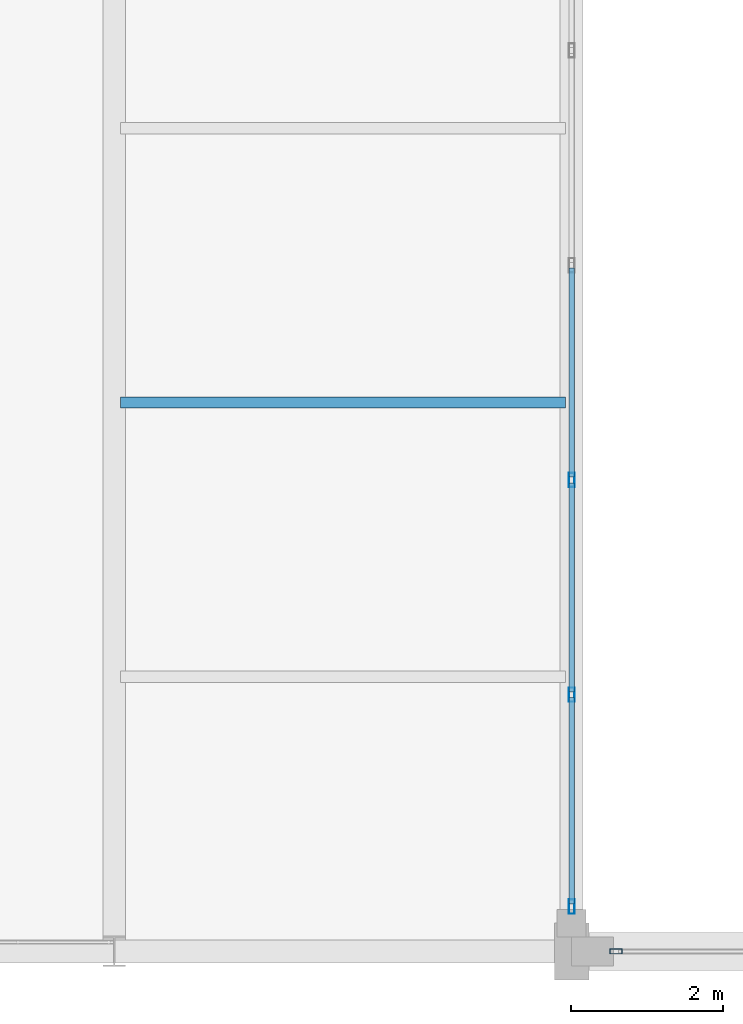
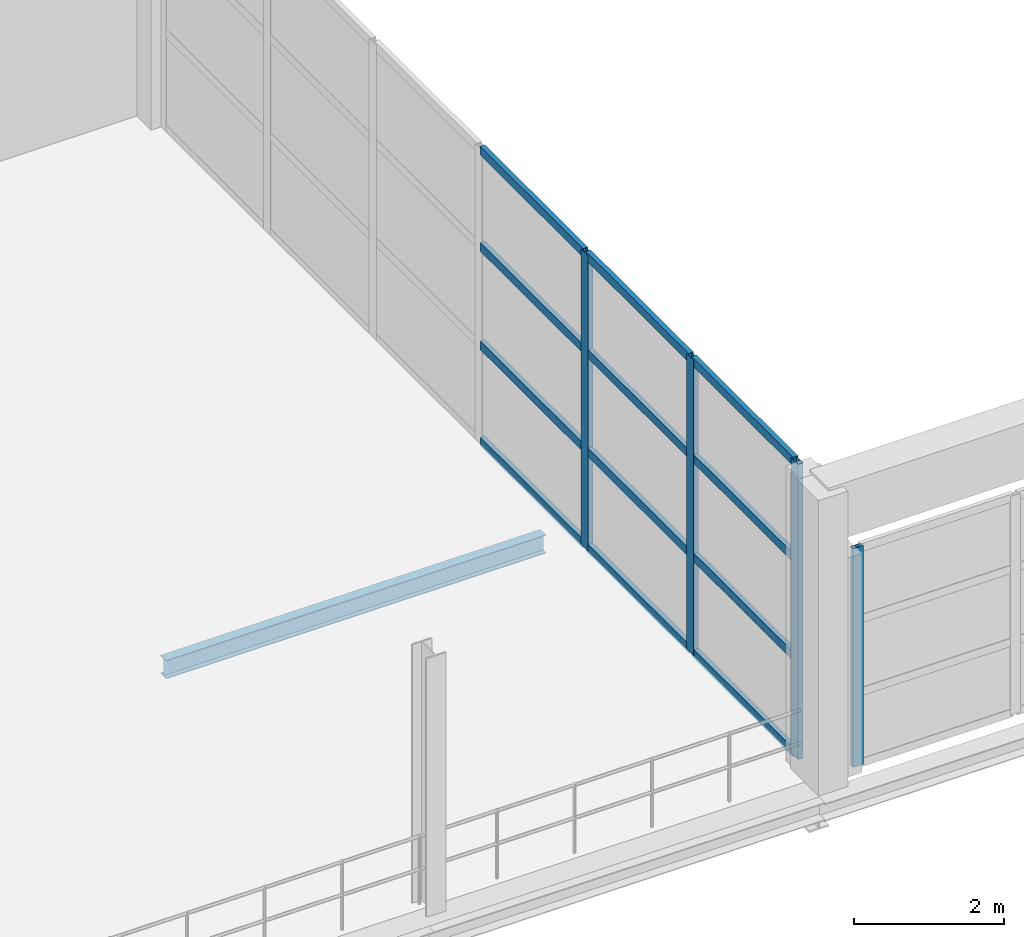
# One storey, part 38 of 147: 16 members, 1 beam, 2 elements without a shape of their own.
"""IFC4 building model written with IfcOpenShell, lengths in metres."""

import ifcopenshell
import ifcopenshell.guid

model = None  # the IFC model being written
_history = None  # IfcOwnerHistory: only IFC2X3 demands one
_inside = {}  # id of a spatial element -> (the spatial element, [elements in it])
_under = {}  # id of a project, library or spatial element -> (it, [spatial elements below it])
_declared = {}  # id of a project -> (the project, [libraries it declares])
_typed = {}  # id of a type object -> (the type object, [elements of that type])
_made_of = {}  # id of a material, layer set ... -> (it, [elements and type objects made of it])


def new_model(schema):
    """Start an empty IFC model of exactly this schema.

    Asked for "IFC4X3", IfcOpenShell would pick the latest addendum, in which some entities
    have other attributes; the version numbers below select the first issue.
    IFC2X3 requires an IfcOwnerHistory on every rooted entity: one is made here for all.
    """
    global model, _history
    if schema == "IFC4X3":
        model = ifcopenshell.file(schema_version=(4, 3, 0, 0))
    else:
        model = ifcopenshell.file(schema=schema)
    _inside.clear()
    _under.clear()
    _declared.clear()
    _typed.clear()
    _made_of.clear()
    _history = None
    if model.schema == "IFC2X3":
        org = make("IfcOrganization", Name="unknown")
        user = make(
            "IfcPersonAndOrganization",
            ThePerson=make("IfcPerson", FamilyName="unknown"),
            TheOrganization=org,
        )
        app = make(
            "IfcApplication",
            ApplicationDeveloper=org,
            Version="unknown",
            ApplicationFullName="unknown",
            ApplicationIdentifier="unknown",
        )
        _history = make(
            "IfcOwnerHistory",
            OwningUser=user,
            OwningApplication=app,
            ChangeAction="ADDED",
            CreationDate=0,
        )
    return model


def make(cls, **values):
    """One entity of the class cls with the attributes given. An attribute that is None is left unset."""
    return model.create_entity(
        cls, **{name: value for name, value in values.items() if value is not None}
    )


def rooted(cls, **values):
    """An entity with a GlobalId (a new one), such as an element, a storey or a relation."""
    return make(cls, GlobalId=ifcopenshell.guid.new(), OwnerHistory=_history, **values)


def si_unit(unit_type, name, prefix=None):
    """IfcSIUnit, for example si_unit("LENGTHUNIT", "METRE", prefix="MILLI")."""
    return make("IfcSIUnit", UnitType=unit_type, Prefix=prefix, Name=name)


def assignment(units):
    """IfcUnitAssignment: the units of a project."""
    return None if units is None else make("IfcUnitAssignment", Units=units)


def point(xyz):
    """IfcCartesianPoint."""
    return None if xyz is None else make("IfcCartesianPoint", Coordinates=xyz)


def direction(xyz):
    """IfcDirection."""
    return None if xyz is None else make("IfcDirection", DirectionRatios=xyz)


def frame(location, z_axis=None, x_axis=None):
    """IfcAxis2Placement3D, a coordinate frame: its origin and axes. An axis left out is left unset."""
    return make(
        "IfcAxis2Placement3D",
        Location=point(location),
        Axis=direction(z_axis),
        RefDirection=direction(x_axis),
    )


def frame_2d(location, x_axis=None):
    """IfcAxis2Placement2D, a coordinate frame in the plane: its origin and x axis."""
    return make(
        "IfcAxis2Placement2D", Location=point(location), RefDirection=direction(x_axis)
    )


def origin():
    """The frame at (0, 0, 0) with its axes left unset."""
    return frame((0.0, 0.0, 0.0))


def origin_2d():
    """The frame at (0, 0) in the plane with its x axis left unset."""
    return frame_2d((0.0, 0.0))


def place(relative_to, where):
    """IfcLocalPlacement: puts the frame where relative to a parent placement (None: the world)."""
    return make(
        "IfcLocalPlacement", PlacementRelTo=relative_to, RelativePlacement=where
    )


def context(
    kind, dimensions, precision=None, world=None, true_north=None, identifier=None
):
    """IfcGeometricRepresentationContext, for example the 3D "Model" context."""
    return make(
        "IfcGeometricRepresentationContext",
        ContextIdentifier=identifier,
        ContextType=kind,
        CoordinateSpaceDimension=dimensions,
        Precision=precision,
        WorldCoordinateSystem=world,
        TrueNorth=true_north,
    )


def subcontext(parent, identifier, kind, view, scale=None):
    """IfcGeometricRepresentationSubContext, for example "Body" below "Model"."""
    return make(
        "IfcGeometricRepresentationSubContext",
        ContextIdentifier=identifier,
        ContextType=kind,
        ParentContext=parent,
        TargetScale=scale,
        TargetView=view,
    )


def project(units=None, contexts=None):
    """IfcProject with its units and contexts."""
    return rooted(
        "IfcProject",
        Name="project",
        RepresentationContexts=contexts,
        UnitsInContext=assignment(units),
    )


def spatial(cls, under=None, at=None, **own):
    """A site, building, storey or space (cls), placed at a placement, below another one or the project."""
    s = rooted(cls, ObjectPlacement=at, **own)
    if under is not None:
        _under.setdefault(under.id(), (under, []))[1].append(s)
    return s


def profile(cls, at=None, kind="AREA", **sizes):
    """A parametric profile (cls). Its sizes go by their IFC names, for example OverallWidth=200.0."""
    return make(cls, ProfileType=kind, Position=at, **sizes)


def hollow_rectangle(**sizes):
    """IfcRectangleHollowProfileDef."""
    return profile("IfcRectangleHollowProfileDef", **sizes)


def i_section(**sizes):
    """IfcIShapeProfileDef."""
    return profile("IfcIShapeProfileDef", **sizes)


def extrude(swept, where, along, depth):
    """IfcExtrudedAreaSolid: the profile swept, set in the frame where, extruded along a direction by depth."""
    return make(
        "IfcExtrudedAreaSolid",
        SweptArea=swept,
        Position=where,
        ExtrudedDirection=direction(along),
        Depth=depth,
    )


def shape(context_of_items, identifier, shape_type, items):
    """IfcShapeRepresentation: the items that make up one representation, for example the "Body"."""
    return make(
        "IfcShapeRepresentation",
        ContextOfItems=context_of_items,
        RepresentationIdentifier=identifier,
        RepresentationType=shape_type,
        Items=items,
    )


def material(Name=None, Category=None):
    """IfcMaterial."""
    return make("IfcMaterial", Name=Name, Category=Category)


def layer(
    of_material, thickness, ventilated=None, Name=None, Category=None, Priority=None
):
    """IfcMaterialLayer: one layer of a wall or slab, of a material (None: an air gap)."""
    return make(
        "IfcMaterialLayer",
        Material=of_material,
        LayerThickness=thickness,
        IsVentilated=ventilated,
        Name=Name,
        Category=Category,
        Priority=Priority,
    )


def layer_set(layers, Name=None):
    """IfcMaterialLayerSet."""
    return make("IfcMaterialLayerSet", MaterialLayers=layers, LayerSetName=Name)


def material_profile(
    of_material, cross_section, Name=None, Category=None, Priority=None
):
    """IfcMaterialProfile: a cross section and its material."""
    return make(
        "IfcMaterialProfile",
        Name=Name,
        Material=of_material,
        Profile=cross_section,
        Priority=Priority,
        Category=Category,
    )


def profile_set(profiles, Name=None, composite=None):
    """IfcMaterialProfileSet."""
    return make(
        "IfcMaterialProfileSet",
        Name=Name,
        MaterialProfiles=profiles,
        CompositeProfile=composite,
    )


def made_of(thing, what):
    """Note that an element or type object is made of a material, layer set ...; save() writes the relation."""
    if what is not None:
        _made_of.setdefault(what.id(), (what, []))[1].append(thing)
    return thing


def type_object(cls, material=None, **own):
    """A type object (cls), such as IfcWallType, which elements share."""
    return made_of(rooted(cls, **own), material)


def element(
    cls,
    number,
    at=None,
    inside=None,
    cuts=None,
    type_object=None,
    material=None,
    context=None,
    identifier="Body",
    shape_type=None,
    held_by="IfcProductDefinitionShape",
    body=None,
    shapes=None,
    **own,
):
    """One element of the class cls, such as IfcWall. Its Tag is "e" and its number.

    at: its placement. inside: the storey or other place that contains it. cuts: it is an
    opening in that element (IfcRelVoidsElement). A single representation is given by context,
    identifier, shape_type and body (its items); several are given by shapes. held_by: the class
    of the entity that holds the representations. save() writes the other relations.
    """
    e = rooted(cls, Tag="e%d" % number, ObjectPlacement=at, **own)
    if body is not None:
        shapes = [shape(context, identifier, shape_type, body)]
    if shapes is not None:
        e.Representation = make(held_by, Representations=shapes)
    if inside is not None:
        _inside.setdefault(inside.id(), (inside, []))[1].append(e)
    if cuts is not None:
        rooted(
            "IfcRelVoidsElement", RelatingBuildingElement=cuts, RelatedOpeningElement=e
        )
    if type_object is not None:
        _typed.setdefault(type_object.id(), (type_object, []))[1].append(e)
    return made_of(e, material)


def aggregate(whole, parts):
    """IfcRelAggregates: a whole, such as a stair, and the parts it consists of."""
    return rooted("IfcRelAggregates", RelatingObject=whole, RelatedObjects=parts)


def save(model, path):
    """Write the relations noted so far, then the file.

    IfcRelAggregates (storeys below a building ...), IfcRelContainedInSpatialStructure (elements
    in a storey), IfcRelDefinesByType, IfcRelAssociatesMaterial and IfcRelDeclares: one each for
    every whole, place, type object, material and project.
    """
    for whole, parts in _under.values():
        aggregate(whole, parts)
    for where, things in _inside.values():
        rooted(
            "IfcRelContainedInSpatialStructure",
            RelatedElements=things,
            RelatingStructure=where,
        )
    for kind, things in _typed.values():
        rooted("IfcRelDefinesByType", RelatedObjects=things, RelatingType=kind)
    for what, things in _made_of.values():
        rooted("IfcRelAssociatesMaterial", RelatedObjects=things, RelatingMaterial=what)
    for by, libraries in _declared.values():
        rooted("IfcRelDeclares", RelatingContext=by, RelatedDefinitions=libraries)
    model.write(path)


model = new_model("IFC4")

# Units and contexts
model_context = context("Model", 3, precision=1e-05, world=origin(), true_north=direction((0.0, 1.0)))
body_context = subcontext(model_context, "Body", "Model", "MODEL_VIEW")
ifc_project = project(units=[si_unit("LENGTHUNIT", "METRE"), si_unit("AREAUNIT", "SQUARE_METRE"), si_unit("VOLUMEUNIT", "CUBIC_METRE"), si_unit("PLANEANGLEUNIT", "RADIAN"), si_unit("MASSUNIT", "GRAM", prefix="KILO")], contexts=[model_context])

# Site, building, storey
site_placement = place(None, origin())
site = spatial("IfcSite", under=ifc_project, at=site_placement, CompositionType="ELEMENT")
building_placement = place(site_placement, origin())
building = spatial("IfcBuilding", under=site, at=building_placement, Name="Zilviju Railside Exhibition Hall", CompositionType="ELEMENT")
storey_placement = place(building_placement, frame((0.0, 0.0, 8.39990234375)))
storey = spatial("IfcBuildingStorey", under=building, at=storey_placement, Name="L03", CompositionType="ELEMENT", Elevation=8.39990234375)

# Beam
ifc_material_1 = material(Name="Steel S355J2", Category="steel")
ifc_material_profile_1 = material_profile(ifc_material_1, i_section(OverallWidth=0.14990234375, OverallDepth=0.300048828125, WebThickness=0.007080078125, FlangeThickness=0.0107421875, at=origin_2d()), Name="IPE 300")
ifc_profile_set_1 = profile_set([ifc_material_profile_1], Name="Steel S355J2")
beam_type = type_object("IfcBeamType", Name="BM-IPE300", PredefinedType="JOIST", material=ifc_profile_set_1)
beam_placement = place(storey_placement, frame((72.080078125, 7.199951171875, -0.5), z_axis=(1.0, 0.0, 0.0), x_axis=(0.0, 1.0, 0.0)))
element("IfcBeam", 1, at=beam_placement, inside=storey, type_object=beam_type, Name="Composite Floor Joist L03 Y=7.20 (72.0..78.0)", PredefinedType="JOIST", context=body_context, shape_type="SweptSolid", body=[
    extrude(i_section(OverallWidth=0.14990234375, OverallDepth=0.300048828125, WebThickness=0.007080078125, FlangeThickness=0.0107421875, at=origin_2d()), origin(), (0.0, 0.0, 1.0), 5.83984375),
])

# Curtain wall, member
ifc_material_2 = material(Name="Thermally broken aluminium-steel triple-glazed curtain wall", Category="steel")
ifc_layer_1 = layer(ifc_material_2, 0.179931640625)
ifc_layer_set_1 = layer_set([ifc_layer_1], Name="Thermally broken aluminium-steel triple-glazed curtain wall")
curtain_wall_type_1 = type_object("IfcCurtainWallType", Name="CW-BAY-12", PredefinedType="USERDEFINED", material=ifc_layer_set_1)
curtain_wall_1_placement = place(storey_placement, origin())
curtain_wall_1 = element("IfcCurtainWall", 2, at=curtain_wall_1_placement, inside=storey, type_object=curtain_wall_type_1, Name="South Hall Facade Curtain Wall L03 (78..84)", ObjectType="GLAZED CURTAIN WALL", PredefinedType="USERDEFINED")
ifc_material_3 = material(Name="Thermally broken anodized aluminium mullion", Category="aluminium")
ifc_material_profile_2 = material_profile(ifc_material_3, hollow_rectangle(XDim=0.06494140625, YDim=0.159912109375, WallThickness=0.0048828125, at=origin_2d()), Name="MULLION 160x65x5")
ifc_profile_set_2 = profile_set([ifc_material_profile_2], Name="Thermally broken anodized aluminium mullion")
member_type_1 = type_object("IfcMemberType", Name="CWM-65x160", PredefinedType="MULLION", material=ifc_profile_set_2)
member_1_placement = place(storey_placement, frame((78.58251953125, 0.0, 0.0), z_axis=(0.0, 0.0, 1.0), x_axis=(0.0, -1.0, 0.0)))
member_1 = element("IfcMember", 3, at=member_1_placement, type_object=member_type_1, Name="CW-12 mullion 3", PredefinedType="MULLION", context=body_context, shape_type="SweptSolid", body=[
    extrude(hollow_rectangle(XDim=0.06494140625, YDim=0.159912109375, WallThickness=0.0048828125, at=origin_2d()), origin(), (0.0, 0.0, 1.0), 3.56005859375),
])
aggregate(curtain_wall_1, [member_1])

# Curtain wall, members
ifc_layer_2 = layer(ifc_material_2, 0.179931640625)
ifc_layer_set_2 = layer_set([ifc_layer_2], Name="Thermally broken aluminium-steel triple-glazed curtain wall")
curtain_wall_type_2 = type_object("IfcCurtainWallType", Name="CW-BAY-19", PredefinedType="USERDEFINED", material=ifc_layer_set_2)
curtain_wall_2_placement = place(storey_placement, origin())
curtain_wall_2 = element("IfcCurtainWall", 4, at=curtain_wall_2_placement, inside=storey, type_object=curtain_wall_type_2, Name="South Hall West Upper Glazed Gable (0..18)", ObjectType="GLAZED CURTAIN WALL", PredefinedType="USERDEFINED")
ifc_material_profile_3 = material_profile(ifc_material_3, hollow_rectangle(XDim=0.074951171875, YDim=0.18994140625, WallThickness=0.0048828125, at=origin_2d()), Name="MULLION 190x75x5")
ifc_profile_set_3 = profile_set([ifc_material_profile_3], Name="Thermally broken anodized aluminium mullion")
member_type_2 = type_object("IfcMemberType", Name="CWM-75x190", PredefinedType="MULLION", material=ifc_profile_set_3)
member_2_placement = place(storey_placement, frame((78.0, 0.58740234375, 0.0), z_axis=(0.0, 0.0, 1.0), x_axis=(-1.0, 0.0, 0.0)))
member_2 = element("IfcMember", 5, at=member_2_placement, type_object=member_type_2, Name="CW-19 mullion 1", PredefinedType="MULLION", context=body_context, shape_type="SweptSolid", body=[
    extrude(hollow_rectangle(XDim=0.074951171875, YDim=0.18994140625, WallThickness=0.0048828125, at=origin_2d()), origin(), (0.0, 0.0, 1.0), 4.800048828125),
])
member_3_placement = place(storey_placement, frame((78.0, 3.36669921875, 0.0), z_axis=(0.0, 0.0, 1.0), x_axis=(-1.0, 0.0, 0.0)))
member_3 = element("IfcMember", 6, at=member_3_placement, type_object=member_type_2, Name="CW-19 mullion 2", PredefinedType="MULLION", context=body_context, shape_type="SweptSolid", body=[
    extrude(hollow_rectangle(XDim=0.074951171875, YDim=0.18994140625, WallThickness=0.0048828125, at=origin_2d()), origin(), (0.0, 0.0, 1.0), 4.800048828125),
])
member_4_placement = place(storey_placement, frame((78.0, 6.183349609375, 0.0), z_axis=(0.0, 0.0, 1.0), x_axis=(-1.0, 0.0, 0.0)))
member_4 = element("IfcMember", 7, at=member_4_placement, type_object=member_type_2, Name="CW-19 mullion 3", PredefinedType="MULLION", context=body_context, shape_type="SweptSolid", body=[
    extrude(hollow_rectangle(XDim=0.074951171875, YDim=0.18994140625, WallThickness=0.0048828125, at=origin_2d()), origin(), (0.0, 0.0, 1.0), 4.800048828125),
])
ifc_material_4 = material(Name="Thermally broken anodized aluminium transom", Category="aluminium")
ifc_material_profile_4 = material_profile(ifc_material_4, hollow_rectangle(XDim=0.074951171875, YDim=0.139892578125, WallThickness=0.0048828125, at=origin_2d()), Name="TRANSOM 140x75x5")
ifc_profile_set_4 = profile_set([ifc_material_profile_4], Name="Thermally broken anodized aluminium transom")
member_type_3 = type_object("IfcMemberType", Name="CWT-75x140", PredefinedType="USERDEFINED", material=ifc_profile_set_4)
member_5_placement = place(storey_placement, frame((78.0, 0.625, 0.03759765625), z_axis=(0.0, 1.0, 0.0), x_axis=(-1.0, 0.0, 0.0)))
member_5 = element("IfcMember", 8, at=member_5_placement, type_object=member_type_3, Name="CW-19 transom 1.1", ObjectType="TRANSOM", PredefinedType="USERDEFINED", context=body_context, shape_type="SweptSolid", body=[
    extrude(hollow_rectangle(XDim=0.074951171875, YDim=0.139892578125, WallThickness=0.0048828125, at=origin_2d()), origin(), (0.0, 0.0, 1.0), 2.7041015625),
])
member_6_placement = place(storey_placement, frame((78.0, 0.625, 1.60009765625), z_axis=(0.0, 1.0, 0.0), x_axis=(-1.0, 0.0, 0.0)))
member_6 = element("IfcMember", 9, at=member_6_placement, type_object=member_type_3, Name="CW-19 transom 1.2", ObjectType="TRANSOM", PredefinedType="USERDEFINED", context=body_context, shape_type="SweptSolid", body=[
    extrude(hollow_rectangle(XDim=0.074951171875, YDim=0.139892578125, WallThickness=0.0048828125, at=origin_2d()), origin(), (0.0, 0.0, 1.0), 2.7041015625),
])
member_7_placement = place(storey_placement, frame((78.0, 0.625, 3.2001953125), z_axis=(0.0, 1.0, 0.0), x_axis=(-1.0, 0.0, 0.0)))
member_7 = element("IfcMember", 10, at=member_7_placement, type_object=member_type_3, Name="CW-19 transom 1.3", ObjectType="TRANSOM", PredefinedType="USERDEFINED", context=body_context, shape_type="SweptSolid", body=[
    extrude(hollow_rectangle(XDim=0.074951171875, YDim=0.139892578125, WallThickness=0.0048828125, at=origin_2d()), origin(), (0.0, 0.0, 1.0), 2.7041015625),
])
member_8_placement = place(storey_placement, frame((78.0, 0.625, 4.7626953125), z_axis=(0.0, 1.0, 0.0), x_axis=(-1.0, 0.0, 0.0)))
member_8 = element("IfcMember", 11, at=member_8_placement, type_object=member_type_3, Name="CW-19 transom 1.4", ObjectType="TRANSOM", PredefinedType="USERDEFINED", context=body_context, shape_type="SweptSolid", body=[
    extrude(hollow_rectangle(XDim=0.074951171875, YDim=0.139892578125, WallThickness=0.0048828125, at=origin_2d()), origin(), (0.0, 0.0, 1.0), 2.7041015625),
])
member_9_placement = place(storey_placement, frame((78.0, 3.404052734375, 0.03759765625), z_axis=(0.0, 1.0, 0.0), x_axis=(-1.0, 0.0, 0.0)))
member_9 = element("IfcMember", 12, at=member_9_placement, type_object=member_type_3, Name="CW-19 transom 2.1", ObjectType="TRANSOM", PredefinedType="USERDEFINED", context=body_context, shape_type="SweptSolid", body=[
    extrude(hollow_rectangle(XDim=0.074951171875, YDim=0.139892578125, WallThickness=0.0048828125, at=origin_2d()), origin(), (0.0, 0.0, 1.0), 2.74169921875),
])
member_10_placement = place(storey_placement, frame((78.0, 3.404052734375, 1.60009765625), z_axis=(0.0, 1.0, 0.0), x_axis=(-1.0, 0.0, 0.0)))
member_10 = element("IfcMember", 13, at=member_10_placement, type_object=member_type_3, Name="CW-19 transom 2.2", ObjectType="TRANSOM", PredefinedType="USERDEFINED", context=body_context, shape_type="SweptSolid", body=[
    extrude(hollow_rectangle(XDim=0.074951171875, YDim=0.139892578125, WallThickness=0.0048828125, at=origin_2d()), origin(), (0.0, 0.0, 1.0), 2.74169921875),
])
member_11_placement = place(storey_placement, frame((78.0, 3.404052734375, 3.2001953125), z_axis=(0.0, 1.0, 0.0), x_axis=(-1.0, 0.0, 0.0)))
member_11 = element("IfcMember", 14, at=member_11_placement, type_object=member_type_3, Name="CW-19 transom 2.3", ObjectType="TRANSOM", PredefinedType="USERDEFINED", context=body_context, shape_type="SweptSolid", body=[
    extrude(hollow_rectangle(XDim=0.074951171875, YDim=0.139892578125, WallThickness=0.0048828125, at=origin_2d()), origin(), (0.0, 0.0, 1.0), 2.74169921875),
])
member_12_placement = place(storey_placement, frame((78.0, 3.404052734375, 4.7626953125), z_axis=(0.0, 1.0, 0.0), x_axis=(-1.0, 0.0, 0.0)))
member_12 = element("IfcMember", 15, at=member_12_placement, type_object=member_type_3, Name="CW-19 transom 2.4", ObjectType="TRANSOM", PredefinedType="USERDEFINED", context=body_context, shape_type="SweptSolid", body=[
    extrude(hollow_rectangle(XDim=0.074951171875, YDim=0.139892578125, WallThickness=0.0048828125, at=origin_2d()), origin(), (0.0, 0.0, 1.0), 2.74169921875),
])
member_13_placement = place(storey_placement, frame((78.0, 6.220947265625, 0.03759765625), z_axis=(0.0, 1.0, 0.0), x_axis=(-1.0, 0.0, 0.0)))
member_13 = element("IfcMember", 16, at=member_13_placement, type_object=member_type_3, Name="CW-19 transom 3.1", ObjectType="TRANSOM", PredefinedType="USERDEFINED", context=body_context, shape_type="SweptSolid", body=[
    extrude(hollow_rectangle(XDim=0.074951171875, YDim=0.139892578125, WallThickness=0.0048828125, at=origin_2d()), origin(), (0.0, 0.0, 1.0), 2.741455078125),
])
member_14_placement = place(storey_placement, frame((78.0, 6.220947265625, 1.60009765625), z_axis=(0.0, 1.0, 0.0), x_axis=(-1.0, 0.0, 0.0)))
member_14 = element("IfcMember", 17, at=member_14_placement, type_object=member_type_3, Name="CW-19 transom 3.2", ObjectType="TRANSOM", PredefinedType="USERDEFINED", context=body_context, shape_type="SweptSolid", body=[
    extrude(hollow_rectangle(XDim=0.074951171875, YDim=0.139892578125, WallThickness=0.0048828125, at=origin_2d()), origin(), (0.0, 0.0, 1.0), 2.741455078125),
])
member_15_placement = place(storey_placement, frame((78.0, 6.220947265625, 3.2001953125), z_axis=(0.0, 1.0, 0.0), x_axis=(-1.0, 0.0, 0.0)))
member_15 = element("IfcMember", 18, at=member_15_placement, type_object=member_type_3, Name="CW-19 transom 3.3", ObjectType="TRANSOM", PredefinedType="USERDEFINED", context=body_context, shape_type="SweptSolid", body=[
    extrude(hollow_rectangle(XDim=0.074951171875, YDim=0.139892578125, WallThickness=0.0048828125, at=origin_2d()), origin(), (0.0, 0.0, 1.0), 2.741455078125),
])
member_16_placement = place(storey_placement, frame((78.0, 6.220947265625, 4.7626953125), z_axis=(0.0, 1.0, 0.0), x_axis=(-1.0, 0.0, 0.0)))
member_16 = element("IfcMember", 19, at=member_16_placement, type_object=member_type_3, Name="CW-19 transom 3.4", ObjectType="TRANSOM", PredefinedType="USERDEFINED", context=body_context, shape_type="SweptSolid", body=[
    extrude(hollow_rectangle(XDim=0.074951171875, YDim=0.139892578125, WallThickness=0.0048828125, at=origin_2d()), origin(), (0.0, 0.0, 1.0), 2.741455078125),
])
aggregate(curtain_wall_2, [member_2, member_3, member_4, member_5, member_6, member_7, member_8, member_9, member_10, member_11, member_12, member_13, member_14, member_15, member_16])

save(model, "model.ifc")
